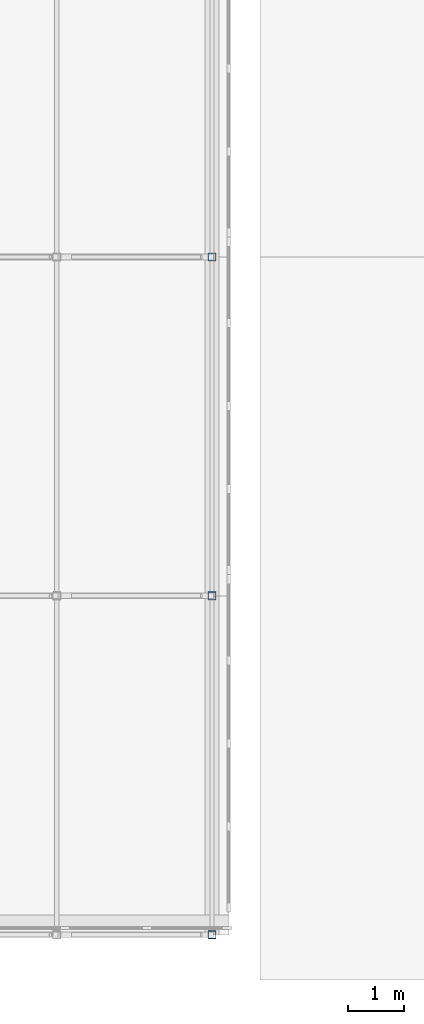
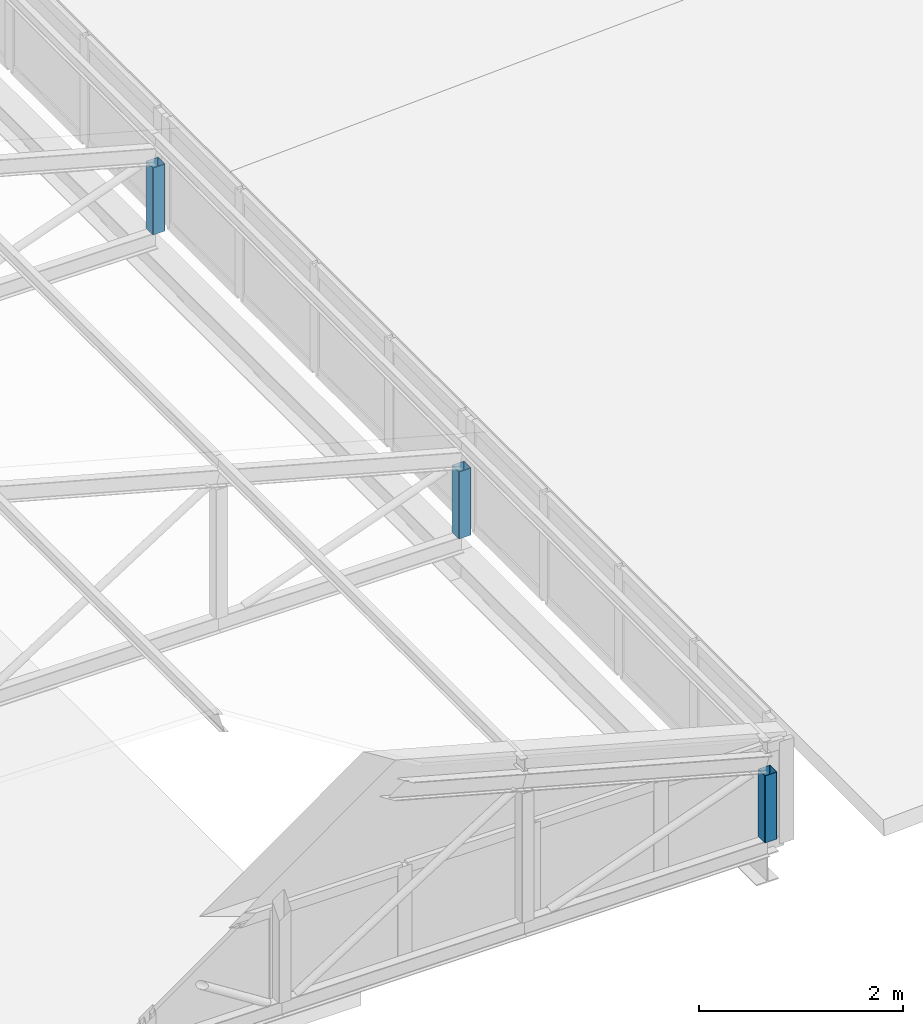
# One storey, part 66 of 94: 3 members.
"""IFC4 building model written with IfcOpenShell, lengths in metres."""

from ifc_helpers import new_model, si_unit, direction, frame, origin, origin_2d, place, context, subcontext, project, spatial, hollow_rectangle, extrude, material, material_profile, profile_set, type_object, element, save


model = new_model("IFC4")

# Units and contexts
model_context = context("Model", 3, precision=1e-05, world=origin(), true_north=direction((0.0, 1.0)))
body_context = subcontext(model_context, "Body", "Model", "MODEL_VIEW")
ifc_project = project(units=[si_unit("LENGTHUNIT", "METRE"), si_unit("AREAUNIT", "SQUARE_METRE"), si_unit("VOLUMEUNIT", "CUBIC_METRE"), si_unit("PLANEANGLEUNIT", "RADIAN"), si_unit("MASSUNIT", "GRAM", prefix="KILO")], contexts=[model_context])

# Site, building, storey
site_placement = place(None, origin())
site = spatial("IfcSite", under=ifc_project, at=site_placement, CompositionType="ELEMENT")
building_placement = place(site_placement, origin())
building = spatial("IfcBuilding", under=site, at=building_placement, Name="Lilac Gate Convention Centre", CompositionType="ELEMENT")
storey_placement = place(building_placement, frame((0.0, 0.0, 21.0)))
storey = spatial("IfcBuildingStorey", under=building, at=storey_placement, Name="L04", CompositionType="ELEMENT", Elevation=21.0)

# Members
ifc_material = material(Name="Steel Q355B", Category="steel")
ifc_material_profile = material_profile(ifc_material, hollow_rectangle(XDim=0.139892578125, YDim=0.139892578125, WallThickness=0.0048828125, InnerFilletRadius=0.0048828125, OuterFilletRadius=0.010009765625, at=origin_2d()), Name="SHS140x140x5")
ifc_profile_set = profile_set([ifc_material_profile], Name="Steel Q355B")
member_type = type_object("IfcMemberType", Name="Lantern post SHS140x140x5", PredefinedType="STRUT", material=ifc_profile_set)
for number, where, z_axis, x_axis, name in (
    (1, (28.60009765625, 30.0, 0.199951171875), (0.0, 0.0, 1.0), (1.0, 0.0, 0.0), "LV1 lantern truss 1 post 5"),
    (2, (28.60009765625, 36.0, 0.199951171875), (0.0, 0.0, 1.0), (1.0, 0.0, 0.0), "LV1 lantern truss 2 post 5"),
    (3, (28.60009765625, 42.0, 0.199951171875), (0.0, 0.0, 1.0), (1.0, 0.0, 0.0), "LV1 lantern truss 3 post 5"),
):
    element("IfcMember", number, at=place(storey_placement, frame(where, z_axis=z_axis, x_axis=x_axis)), inside=storey, type_object=member_type, Name=name, PredefinedType="STRUT", context=body_context, shape_type="SweptSolid", body=[
        extrude(hollow_rectangle(XDim=0.139892578125, YDim=0.139892578125, WallThickness=0.0048828125, InnerFilletRadius=0.0048828125, OuterFilletRadius=0.010009765625, at=origin_2d()), origin(), (0.0, 0.0, 1.0), 0.802001953125),
    ])

save(model, "model.ifc")
